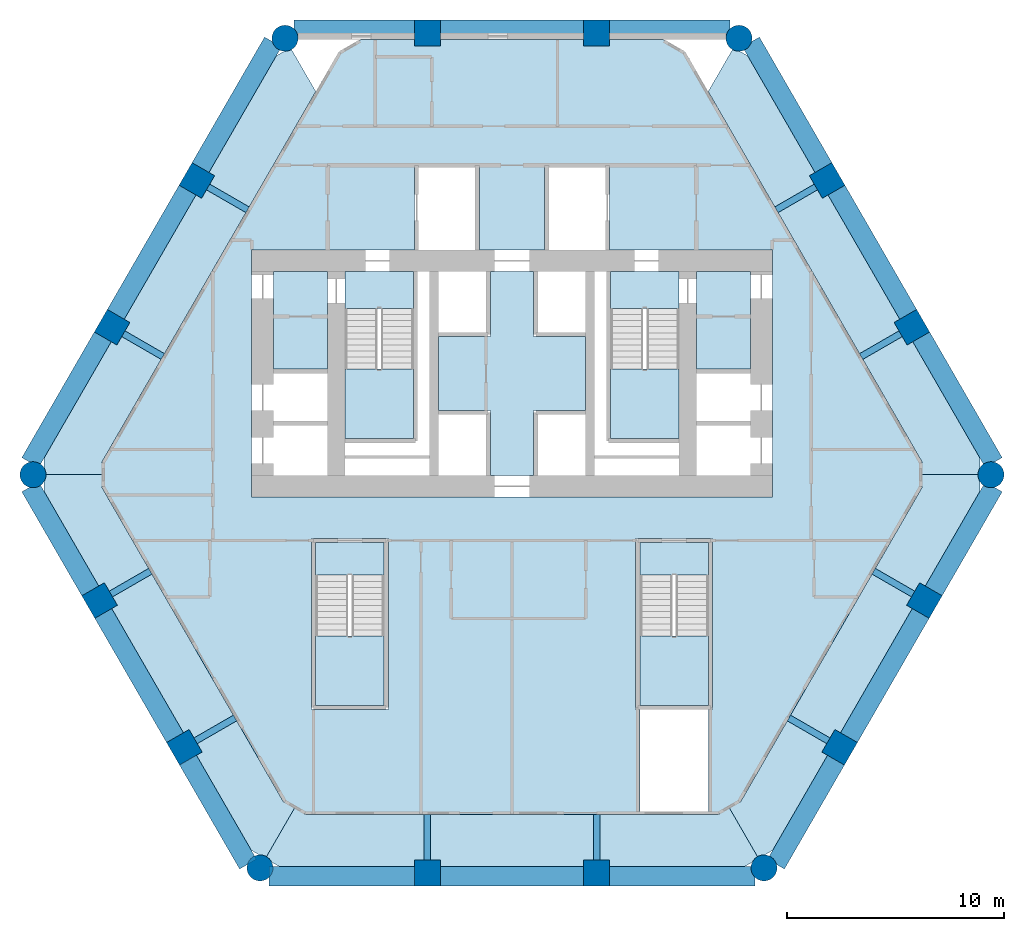
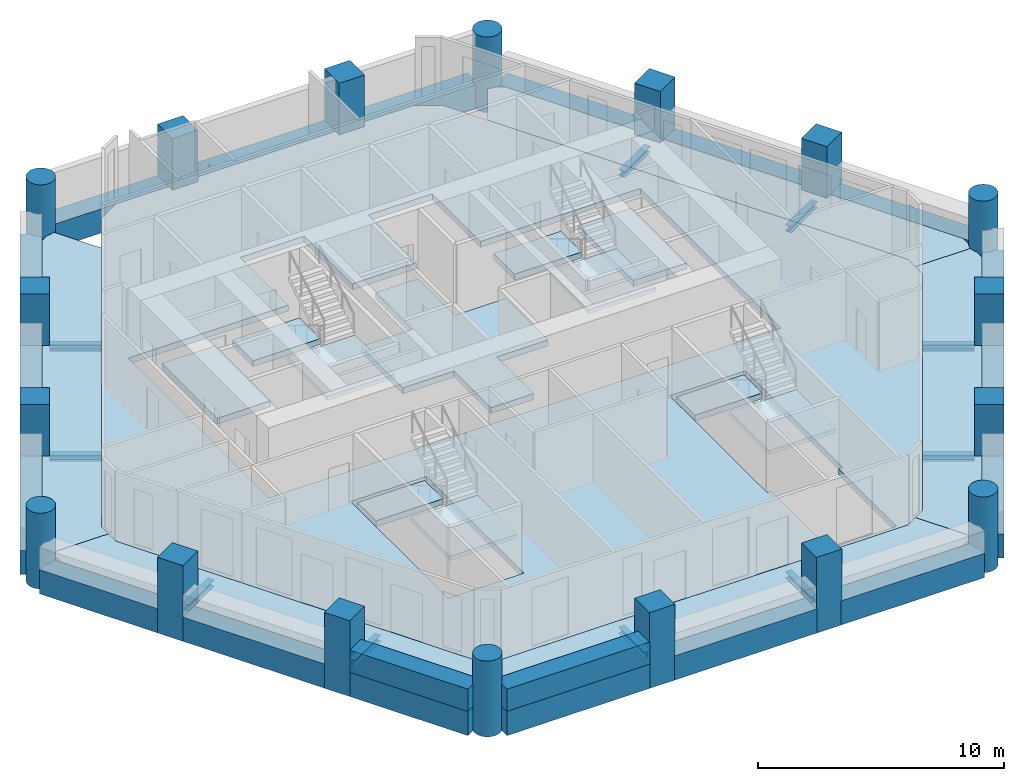
# One storey, part 1 of 7: 28 beams, 18 columns, 17 slabs, 2 walls, 4 elements without a shape of their own.
"""IFC4 building model written with IfcOpenShell, lengths in metres."""

from ifc_helpers import new_model, si_unit, direction, frame, frame_2d, origin, origin_2d, place, context, subcontext, project, spatial, polyline, rectangle, circle, i_section, outline, extrude, material, layer, layer_set, material_profile, profile_set, type_object, element, aggregate, save


model = new_model("IFC4")

# Units and contexts
model_context = context("Model", 3, precision=1e-05, world=origin(), true_north=direction((0.0, 1.0)))
body_context = subcontext(model_context, "Body", "Model", "MODEL_VIEW")
ifc_project = project(units=[si_unit("LENGTHUNIT", "METRE"), si_unit("AREAUNIT", "SQUARE_METRE"), si_unit("VOLUMEUNIT", "CUBIC_METRE"), si_unit("PLANEANGLEUNIT", "RADIAN"), si_unit("MASSUNIT", "GRAM", prefix="KILO")], contexts=[model_context])

# Site, building, storey
site_placement = place(None, origin())
site = spatial("IfcSite", under=ifc_project, at=site_placement, CompositionType="ELEMENT")
building_placement = place(site_placement, origin())
building = spatial("IfcBuilding", under=site, at=building_placement, Name="Ostrander Bayou Hotel Tower", CompositionType="ELEMENT")
storey_placement = place(building_placement, frame((0.0, 0.0, 123.5)))
storey = spatial("IfcBuildingStorey", under=building, at=storey_placement, Name="L30", CompositionType="ELEMENT", Elevation=123.5)

# Columns
ifc_material_1 = material(Name="Concrete f'c 70 MPa", Category="concrete")
ifc_material_profile_1 = material_profile(ifc_material_1, circle(Radius=0.60009765625, at=origin_2d()))
ifc_profile_set_1 = profile_set([ifc_material_profile_1], Name="Concrete f'c 70 MPa")
column_type_1 = type_object("IfcColumnType", Name="C3 round column 1200 mm f'c 70 MPa", PredefinedType="COLUMN", material=ifc_profile_set_1)
for number, where, z_axis, x_axis, name in (
    (1, (-10.466064453125, 19.458740234375, -1.199951171875), (0.0, 0.0, 1.0), (1.0, 0.0, 0.0), "C3 L30 K0"),
    (2, (-22.0849609375, -0.66552734375, -1.199951171875), (0.0, 0.0, 1.0), (1.0, 0.0, 0.0), "C3 L30 K1"),
    (3, (-11.618896484375, -18.793212890625, -1.199951171875), (0.0, 0.0, 1.0), (1.0, 0.0, 0.0), "C3 L30 K2"),
    (4, (11.618896484375, -18.793212890625, -1.199951171875), (0.0, 0.0, 1.0), (1.0, 0.0, 0.0), "C3 L30 K3"),
    (5, (22.0849609375, -0.66552734375, -1.199951171875), (0.0, 0.0, 1.0), (1.0, 0.0, 0.0), "C3 L30 K4"),
    (6, (10.466064453125, 19.458740234375, -1.199951171875), (0.0, 0.0, 1.0), (1.0, 0.0, 0.0), "C3 L30 K5"),
):
    element("IfcColumn", number, at=place(storey_placement, frame(where, z_axis=z_axis, x_axis=x_axis)), inside=storey, type_object=column_type_1, Name=name, PredefinedType="COLUMN", context=body_context, shape_type="SweptSolid", body=[
        extrude(circle(Radius=0.60009765625, at=origin_2d()), origin(), (0.0, 0.0, 1.0), 3.75),
    ])
ifc_material_2 = material(Name="Concrete f'c 70 MPa", Category="concrete")
ifc_material_profile_2 = material_profile(ifc_material_2, rectangle(XDim=1.199951171875, YDim=1.199951171875, at=origin_2d()))
ifc_profile_set_2 = profile_set([ifc_material_profile_2], Name="Concrete f'c 70 MPa")
column_type_2 = type_object("IfcColumnType", Name="C4 square column 1200 x 1200 mm f'c 70 MPa", PredefinedType="COLUMN", material=ifc_profile_set_2)
for number, where, z_axis, x_axis, name in (
    (7, (3.90673828125, 19.699951171875, -1.199951171875), (0.0, 0.0, 1.0), (1.0, 0.0, 0.0), "C4 L30 N1"),
    (8, (-3.90673828125, 19.699951171875, -1.199951171875), (0.0, 0.0, 1.0), (1.0, 0.0, 0.0), "C4 L30 N2"),
    (9, (-14.531005859375, 12.900634765625, -1.199951171875), (0.0, 0.0, 1.0), (0.5, 0.866025403784, 0.0), "C4 L30 NW1"),
    (10, (-18.437744140625, 6.1337890625, -1.199951171875), (0.0, 0.0, 1.0), (0.5, 0.866025403784, 0.0), "C4 L30 NW2"),
    (11, (-19.01416015625, -6.466796875, -1.199951171875), (0.0, 0.0, 1.0), (-0.5, 0.866025403784, 0.0), "C4 L30 SW1"),
    (12, (-15.107421875, -13.2333984375, -1.199951171875), (0.0, 0.0, 1.0), (-0.5, 0.866025403784, 0.0), "C4 L30 SW2"),
    (13, (-3.90673828125, -19.034423828125, -1.199951171875), (0.0, 0.0, 1.0), (-1.0, 0.0, 0.0), "C4 L30 S1"),
    (14, (3.90673828125, -19.034423828125, -1.199951171875), (0.0, 0.0, 1.0), (-1.0, 0.0, 0.0), "C4 L30 S2"),
    (15, (15.107421875, -13.2333984375, -1.199951171875), (0.0, 0.0, 1.0), (-0.5, -0.866025403784, 0.0), "C4 L30 SE1"),
    (16, (19.01416015625, -6.466796875, -1.199951171875), (0.0, 0.0, 1.0), (-0.5, -0.866025403784, 0.0), "C4 L30 SE2"),
    (17, (18.437744140625, 6.1337890625, -1.199951171875), (0.0, 0.0, 1.0), (0.5, -0.866025403784, 0.0), "C4 L30 NE1"),
    (18, (14.531005859375, 12.900634765625, -1.199951171875), (0.0, 0.0, 1.0), (0.5, -0.866025403784, 0.0), "C4 L30 NE2"),
):
    element("IfcColumn", number, at=place(storey_placement, frame(where, z_axis=z_axis, x_axis=x_axis)), inside=storey, type_object=column_type_2, Name=name, PredefinedType="COLUMN", context=body_context, shape_type="SweptSolid", body=[
        extrude(rectangle(XDim=1.199951171875, YDim=1.199951171875, at=origin_2d()), origin(), (0.0, 0.0, 1.0), 3.75),
    ])

# Beams
ifc_material_3 = material(Name="Steel ASTM A992", Category="steel")
ifc_material_profile_3 = material_profile(ifc_material_3, i_section(OverallWidth=0.3046875, OverallDepth=0.307861328125, WebThickness=0.010009765625, FlangeThickness=0.015380859375, at=origin_2d()))
ifc_profile_set_3 = profile_set([ifc_material_profile_3], Name="Steel ASTM A992")
beam_type_1 = type_object("IfcBeamType", Name="LB1 loggia bracket W12x65", PredefinedType="BEAM", material=ifc_profile_set_3)
for number, where, z_axis, x_axis, name in (
    (19, (-14.011474609375, 12.6005859375, -0.453857421875), (0.866038466041, -0.499977374825, 0.0), (0.499977374825, 0.866038466041, 0.0), "LB1 L30 NW1"),
    (20, (-17.918212890625, 5.833984375, -0.453857421875), (0.866038466041, -0.499977374825, 0.0), (0.499977374825, 0.866038466041, 0.0), "LB1 L30 NW2"),
    (21, (-18.494384765625, -6.166748046875, -0.453857421875), (0.866009402589, 0.500027713859, 0.0), (-0.500027713859, 0.866009402589, 0.0), "LB1 L30 SW1"),
    (22, (-14.587646484375, -12.933349609375, -0.453857421875), (0.866009402589, 0.500027713859, 0.0), (-0.500027713859, 0.866009402589, 0.0), "LB1 L30 SW2"),
    (23, (-3.90673828125, -18.4345703125, -0.453857421875), (0.0, 1.0, 0.0), (-1.0, 0.0, 0.0), "LB1 L30 S1"),
    (24, (3.90673828125, -18.4345703125, -0.453857421875), (0.0, 1.0, 0.0), (-1.0, 0.0, 0.0), "LB1 L30 S2"),
    (25, (14.587646484375, -12.933349609375, -0.453857421875), (-0.866009402589, 0.500027713859, 0.0), (-0.500027713859, -0.866009402589, 0.0), "LB1 L30 SE1"),
    (26, (18.494384765625, -6.166748046875, -0.453857421875), (-0.866009402589, 0.500027713859, 0.0), (-0.500027713859, -0.866009402589, 0.0), "LB1 L30 SE2"),
    (27, (17.918212890625, 5.833984375, -0.453857421875), (-0.866038466041, -0.499977374825, 0.0), (0.499977374825, -0.866038466041, 0.0), "LB1 L30 NE1"),
    (28, (14.011474609375, 12.6005859375, -0.453857421875), (-0.866038466041, -0.499977374825, 0.0), (0.499977374825, -0.866038466041, 0.0), "LB1 L30 NE2"),
):
    element("IfcBeam", number, at=place(storey_placement, frame(where, z_axis=z_axis, x_axis=x_axis)), inside=storey, type_object=beam_type_1, Name=name, PredefinedType="BEAM", context=body_context, shape_type="SweptSolid", body=[
        extrude(i_section(OverallWidth=0.3046875, OverallDepth=0.307861328125, WebThickness=0.010009765625, FlangeThickness=0.015380859375, at=origin_2d()), origin(), (0.0, 0.0, 1.0), 2.10009765625),
    ])
ifc_material_4 = material(Name="Concrete f'c 70 MPa", Category="concrete")
ifc_material_profile_4 = material_profile(ifc_material_4, rectangle(XDim=0.89990234375, YDim=1.199951171875, at=origin_2d()))
ifc_profile_set_4 = profile_set([ifc_material_profile_4], Name="Concrete f'c 70 MPa")
beam_type_2 = type_object("IfcBeamType", Name="SP2 spandrel beam 900 x 1200 mm f'c 70 MPa", PredefinedType="SPANDREL", material=ifc_profile_set_4)
beam_1_placement = place(storey_placement, frame((10.041015625, 19.85009765625, -0.60009765625), z_axis=(-1.0, 0.0, 0.0), x_axis=(0.0, -1.0, 0.0)))
element("IfcBeam", 29, at=beam_1_placement, inside=storey, type_object=beam_type_2, Name="SP2 L30 N-1", PredefinedType="SPANDREL", context=body_context, shape_type="SweptSolid", body=[
    extrude(rectangle(XDim=0.89990234375, YDim=1.199951171875, at=origin_2d()), origin(), (0.0, 0.0, 1.0), 5.564208984375),
])
beam_2_placement = place(storey_placement, frame((3.336669921875, 19.85009765625, -0.60009765625), z_axis=(-1.0, 0.0, 0.0), x_axis=(0.0, -1.0, 0.0)))
element("IfcBeam", 30, at=beam_2_placement, inside=storey, type_object=beam_type_2, Name="SP2 L30 N-2", PredefinedType="SPANDREL", context=body_context, shape_type="SweptSolid", body=[
    extrude(rectangle(XDim=0.89990234375, YDim=1.199951171875, at=origin_2d()), origin(), (0.0, 0.0, 1.0), 6.67333984375),
])
beam_3_placement = place(storey_placement, frame((-4.476806640625, 19.85009765625, -0.60009765625), z_axis=(-1.0, 0.0, 0.0), x_axis=(0.0, -1.0, 0.0)))
element("IfcBeam", 31, at=beam_3_placement, inside=storey, type_object=beam_type_2, Name="SP2 L30 N-3", PredefinedType="SPANDREL", context=body_context, shape_type="SweptSolid", body=[
    extrude(rectangle(XDim=0.89990234375, YDim=1.199951171875, at=origin_2d()), origin(), (0.0, 0.0, 1.0), 5.564208984375),
])
beam_4_placement = place(storey_placement, frame((-11.017333984375, 19.286376953125, -0.60009765625), z_axis=(-0.500012951941, -0.866017925849, 0.0), x_axis=(0.866017925849, -0.500012951941, 0.0)))
element("IfcBeam", 32, at=beam_4_placement, inside=storey, type_object=beam_type_2, Name="SP2 L30 NW-1", PredefinedType="SPANDREL", context=body_context, shape_type="SweptSolid", body=[
    extrude(rectangle(XDim=0.89990234375, YDim=1.199951171875, at=origin_2d()), origin(), (0.0, 0.0, 1.0), 6.717041015625),
])
beam_5_placement = place(storey_placement, frame((-14.94580078125, 12.48193359375, -0.60009765625), z_axis=(-0.50001062018, -0.866019272134, 0.0), x_axis=(0.866019272134, -0.50001062018, 0.0)))
element("IfcBeam", 33, at=beam_5_placement, inside=storey, type_object=beam_type_2, Name="SP2 L30 NW-2", PredefinedType="SPANDREL", context=body_context, shape_type="SweptSolid", body=[
    extrude(rectangle(XDim=0.89990234375, YDim=1.199951171875, at=origin_2d()), origin(), (0.0, 0.0, 1.0), 6.673583984375),
])
beam_6_placement = place(storey_placement, frame((-18.8525390625, 5.71533203125, -0.60009765625), z_axis=(-0.500012951941, -0.866017925849, 0.0), x_axis=(0.866017925849, -0.500012951941, 0.0)))
element("IfcBeam", 34, at=beam_6_placement, inside=storey, type_object=beam_type_2, Name="SP2 L30 NW-3", PredefinedType="SPANDREL", context=body_context, shape_type="SweptSolid", body=[
    extrude(rectangle(XDim=0.89990234375, YDim=1.199951171875, at=origin_2d()), origin(), (0.0, 0.0, 1.0), 6.717041015625),
])
beam_7_placement = place(storey_placement, frame((-22.211181640625, -1.22900390625, -0.60009765625), z_axis=(0.49998957009, -0.866031425412, 0.0), x_axis=(0.866031425412, 0.49998957009, 0.0)))
element("IfcBeam", 35, at=beam_7_placement, inside=storey, type_object=beam_type_2, Name="SP2 L30 SW-1", PredefinedType="SPANDREL", context=body_context, shape_type="SweptSolid", body=[
    extrude(rectangle(XDim=0.89990234375, YDim=1.199951171875, at=origin_2d()), origin(), (0.0, 0.0, 1.0), 5.564453125),
])
beam_8_placement = place(storey_placement, frame((-18.85888671875, -7.035400390625, -0.60009765625), z_axis=(0.499999023957, -0.866025967302, 0.0), x_axis=(0.866025967302, 0.499999023957, 0.0)))
element("IfcBeam", 36, at=beam_8_placement, inside=storey, type_object=beam_type_2, Name="SP2 L30 SW-2", PredefinedType="SPANDREL", context=body_context, shape_type="SweptSolid", body=[
    extrude(rectangle(XDim=0.89990234375, YDim=1.199951171875, at=origin_2d()), origin(), (0.0, 0.0, 1.0), 6.67333984375),
])
beam_9_placement = place(storey_placement, frame((-14.9521484375, -13.802001953125, -0.60009765625), z_axis=(0.500008568482, -0.866020456713, 0.0), x_axis=(0.866020456713, 0.500008568482, 0.0)))
element("IfcBeam", 37, at=beam_9_placement, inside=storey, type_object=beam_type_2, Name="SP2 L30 SW-3", PredefinedType="SPANDREL", context=body_context, shape_type="SweptSolid", body=[
    extrude(rectangle(XDim=0.89990234375, YDim=1.199951171875, at=origin_2d()), origin(), (0.0, 0.0, 1.0), 5.564453125),
])
beam_10_placement = place(storey_placement, frame((-11.19384765625, -19.1845703125, -0.60009765625), z_axis=(1.0, 0.0, 0.0), x_axis=(0.0, 1.0, 0.0)))
element("IfcBeam", 38, at=beam_10_placement, inside=storey, type_object=beam_type_2, Name="SP2 L30 S-1", PredefinedType="SPANDREL", context=body_context, shape_type="SweptSolid", body=[
    extrude(rectangle(XDim=0.89990234375, YDim=1.199951171875, at=origin_2d()), origin(), (0.0, 0.0, 1.0), 6.717041015625),
])
beam_11_placement = place(storey_placement, frame((-3.336669921875, -19.1845703125, -0.60009765625), z_axis=(1.0, 0.0, 0.0), x_axis=(0.0, 1.0, 0.0)))
element("IfcBeam", 39, at=beam_11_placement, inside=storey, type_object=beam_type_2, Name="SP2 L30 S-2", PredefinedType="SPANDREL", context=body_context, shape_type="SweptSolid", body=[
    extrude(rectangle(XDim=0.89990234375, YDim=1.199951171875, at=origin_2d()), origin(), (0.0, 0.0, 1.0), 6.67333984375),
])
beam_12_placement = place(storey_placement, frame((4.476806640625, -19.1845703125, -0.60009765625), z_axis=(1.0, 0.0, 0.0), x_axis=(0.0, 1.0, 0.0)))
element("IfcBeam", 40, at=beam_12_placement, inside=storey, type_object=beam_type_2, Name="SP2 L30 S-3", PredefinedType="SPANDREL", context=body_context, shape_type="SweptSolid", body=[
    extrude(rectangle(XDim=0.89990234375, YDim=1.199951171875, at=origin_2d()), origin(), (0.0, 0.0, 1.0), 6.717041015625),
])
beam_13_placement = place(storey_placement, frame((12.169921875, -18.620849609375, -0.60009765625), z_axis=(0.500008568482, 0.866020456713, 0.0), x_axis=(-0.866020456713, 0.500008568482, 0.0)))
element("IfcBeam", 41, at=beam_13_placement, inside=storey, type_object=beam_type_2, Name="SP2 L30 SE-1", PredefinedType="SPANDREL", context=body_context, shape_type="SweptSolid", body=[
    extrude(rectangle(XDim=0.89990234375, YDim=1.199951171875, at=origin_2d()), origin(), (0.0, 0.0, 1.0), 5.564453125),
])
beam_14_placement = place(storey_placement, frame((15.522216796875, -12.814697265625, -0.60009765625), z_axis=(0.499999023957, 0.866025967302, 0.0), x_axis=(-0.866025967302, 0.499999023957, 0.0)))
element("IfcBeam", 42, at=beam_14_placement, inside=storey, type_object=beam_type_2, Name="SP2 L30 SE-2", PredefinedType="SPANDREL", context=body_context, shape_type="SweptSolid", body=[
    extrude(rectangle(XDim=0.89990234375, YDim=1.199951171875, at=origin_2d()), origin(), (0.0, 0.0, 1.0), 6.67333984375),
])
beam_15_placement = place(storey_placement, frame((19.428955078125, -6.048095703125, -0.60009765625), z_axis=(0.49998957009, 0.866031425412, 0.0), x_axis=(-0.866031425412, 0.49998957009, 0.0)))
element("IfcBeam", 43, at=beam_15_placement, inside=storey, type_object=beam_type_2, Name="SP2 L30 SE-3", PredefinedType="SPANDREL", context=body_context, shape_type="SweptSolid", body=[
    extrude(rectangle(XDim=0.89990234375, YDim=1.199951171875, at=origin_2d()), origin(), (0.0, 0.0, 1.0), 5.564453125),
])
beam_16_placement = place(storey_placement, frame((22.211181640625, -0.101806640625, -0.60009765625), z_axis=(-0.500012951941, 0.866017925849, 0.0), x_axis=(-0.866017925849, -0.500012951941, 0.0)))
element("IfcBeam", 44, at=beam_16_placement, inside=storey, type_object=beam_type_2, Name="SP2 L30 NE-1", PredefinedType="SPANDREL", context=body_context, shape_type="SweptSolid", body=[
    extrude(rectangle(XDim=0.89990234375, YDim=1.199951171875, at=origin_2d()), origin(), (0.0, 0.0, 1.0), 6.717041015625),
])
beam_17_placement = place(storey_placement, frame((18.28271484375, 6.702392578125, -0.60009765625), z_axis=(-0.50001062018, 0.866019272134, 0.0), x_axis=(-0.866019272134, -0.50001062018, 0.0)))
element("IfcBeam", 45, at=beam_17_placement, inside=storey, type_object=beam_type_2, Name="SP2 L30 NE-2", PredefinedType="SPANDREL", context=body_context, shape_type="SweptSolid", body=[
    extrude(rectangle(XDim=0.89990234375, YDim=1.199951171875, at=origin_2d()), origin(), (0.0, 0.0, 1.0), 6.673583984375),
])
beam_18_placement = place(storey_placement, frame((14.3759765625, 13.46923828125, -0.60009765625), z_axis=(-0.500012951941, 0.866017925849, 0.0), x_axis=(-0.866017925849, -0.500012951941, 0.0)))
element("IfcBeam", 46, at=beam_18_placement, inside=storey, type_object=beam_type_2, Name="SP2 L30 NE-3", PredefinedType="SPANDREL", context=body_context, shape_type="SweptSolid", body=[
    extrude(rectangle(XDim=0.89990234375, YDim=1.199951171875, at=origin_2d()), origin(), (0.0, 0.0, 1.0), 6.717041015625),
])

# Slabs
ifc_material_5 = material(Name="Concrete f'c 40 MPa", Category="concrete")
ifc_layer_1 = layer(ifc_material_5, 0.300048828125)
ifc_layer_set_1 = layer_set([ifc_layer_1], Name="SL1 floor slab 300 mm f'c 40 MPa")
slab_type_1 = type_object("IfcSlabType", Name="SL1 floor slab 300 mm f'c 40 MPa", PredefinedType="FLOOR", material=ifc_layer_set_1)
slab_1_placement = place(storey_placement, frame((0.0, 0.0, -0.300048828125)))
element("IfcSlab", 47, at=slab_1_placement, inside=storey, type_object=slab_type_1, Name="SL1 L30 1", PredefinedType="FLOOR", context=body_context, shape_type="SweptSolid", body=[
    extrude(outline(polyline([(-3.336669921875, 19.39990234375), (3.336669921875, 19.39990234375), (4.476806640625, 19.39990234375), (6.968017578125, 19.39990234375), (8.00732421875, 18.800048828125), (18.8994140625, -0.0654296875), (18.8994140625, -1.265380859375), (10.545654296875, -15.734619140625), (9.50634765625, -16.33447265625), (-9.50634765625, -16.33447265625), (-10.545654296875, -15.734619140625), (-18.8994140625, -1.265380859375), (-18.8994140625, -0.0654296875), (-8.00732421875, 18.800048828125), (-6.968017578125, 19.39990234375), (-4.476806640625, 19.39990234375), (-3.336669921875, 19.39990234375)]), holes=[polyline([(-12.0, -1.699951171875), (12.0, -1.699951171875), (12.0, 9.699951171875), (4.5, 9.699951171875), (4.5, 13.60009765625), (1.5, 13.60009765625), (1.5, 9.699951171875), (-1.5, 9.699951171875), (-1.5, 13.60009765625), (-4.5, 13.60009765625), (-4.5, 9.699951171875), (-12.0, 9.699951171875), (-12.0, -1.699951171875)]), polyline([(9.050048828125, -11.5), (9.25, -11.5), (9.25, -3.60009765625), (5.699951171875, -3.60009765625), (5.699951171875, -11.5), (5.89990234375, -11.5), (5.89990234375, -16.1845703125), (9.050048828125, -16.1845703125), (9.050048828125, -11.5)]), polyline([(-5.699951171875, -3.60009765625), (-9.25, -3.60009765625), (-9.25, -11.5), (-5.699951171875, -11.5), (-5.699951171875, -3.60009765625)])]), origin(), (0.0, 0.0, 1.0), 0.300048828125),
])
slab_2_placement = place(storey_placement, frame((0.0, 0.0, -0.300048828125)))
element("IfcSlab", 48, at=slab_2_placement, inside=storey, type_object=slab_type_1, Name="cslab:L30:001", PredefinedType="FLOOR", context=body_context, shape_type="SweptSolid", body=[
    extrude(outline(polyline([(-3.39990234375, 5.699951171875), (-1.0, 5.699951171875), (-1.0, 8.699951171875), (1.0, 8.699951171875), (1.0, 5.699951171875), (3.39990234375, 5.699951171875), (3.39990234375, 2.300048828125), (1.0, 2.300048828125), (1.0, -0.699951171875), (-1.0, -0.699951171875), (-1.0, 2.300048828125), (-3.39990234375, 2.300048828125), (-3.39990234375, 5.699951171875)])), origin(), (0.0, 0.0, 1.0), 0.300048828125),
])
slab_3_placement = place(storey_placement, frame((0.0, 0.0, -0.300048828125)))
element("IfcSlab", 49, at=slab_3_placement, inside=storey, type_object=slab_type_1, Name="cslab:L30:002", PredefinedType="FLOOR", context=body_context, shape_type="SweptSolid", body=[
    extrude(outline(polyline([(-8.5, 4.199951171875), (-8.5, 8.699951171875), (-11.0, 8.699951171875), (-11.0, 4.199951171875), (-8.5, 4.199951171875)])), origin(), (0.0, 0.0, 1.0), 0.300048828125),
])
slab_4_placement = place(storey_placement, frame((0.0, 0.0, -0.300048828125)))
element("IfcSlab", 50, at=slab_4_placement, inside=storey, type_object=slab_type_1, Name="cslab:L30:003", PredefinedType="FLOOR", context=body_context, shape_type="SweptSolid", body=[
    extrude(outline(polyline([(11.0, 4.199951171875), (11.0, 8.699951171875), (8.5, 8.699951171875), (8.5, 4.199951171875), (11.0, 4.199951171875)])), origin(), (0.0, 0.0, 1.0), 0.300048828125),
])
slab_5_placement = place(storey_placement, frame((0.0, 0.0, -0.300048828125)))
element("IfcSlab", 51, at=slab_5_placement, inside=storey, type_object=slab_type_1, Name="cslab:L30:004", PredefinedType="FLOOR", context=body_context, shape_type="SweptSolid", body=[
    extrude(outline(polyline([(-4.550048828125, 7.0), (-4.550048828125, 8.699951171875), (-7.699951171875, 8.699951171875), (-7.699951171875, 7.0), (-4.550048828125, 7.0)])), origin(), (0.0, 0.0, 1.0), 0.300048828125),
])
slab_6_placement = place(storey_placement, frame((0.0, 0.0, -0.300048828125)))
element("IfcSlab", 52, at=slab_6_placement, inside=storey, type_object=slab_type_1, Name="cslab:L30:005", PredefinedType="FLOOR", context=body_context, shape_type="SweptSolid", body=[
    extrude(outline(polyline([(7.699951171875, 7.0), (7.699951171875, 8.699951171875), (4.550048828125, 8.699951171875), (4.550048828125, 7.0), (7.699951171875, 7.0)])), origin(), (0.0, 0.0, 1.0), 0.300048828125),
])
slab_7_placement = place(storey_placement, frame((0.0, 0.0, -0.300048828125)))
element("IfcSlab", 53, at=slab_7_placement, inside=storey, type_object=slab_type_1, Name="cslab:L30:006", PredefinedType="FLOOR", context=body_context, shape_type="SweptSolid", body=[
    extrude(outline(polyline([(9.050048828125, -5.300048828125), (9.050048828125, -3.800048828125), (5.89990234375, -3.800048828125), (5.89990234375, -5.300048828125), (9.050048828125, -5.300048828125)])), origin(), (0.0, 0.0, 1.0), 0.300048828125),
])
slab_8_placement = place(storey_placement, frame((0.0, 0.0, -0.300048828125)))
element("IfcSlab", 54, at=slab_8_placement, inside=storey, type_object=slab_type_1, Name="cslab:L30:007", PredefinedType="FLOOR", context=body_context, shape_type="SweptSolid", body=[
    extrude(outline(polyline([(-5.89990234375, -5.300048828125), (-5.89990234375, -3.800048828125), (-9.050048828125, -3.800048828125), (-9.050048828125, -5.300048828125), (-5.89990234375, -5.300048828125)])), origin(), (0.0, 0.0, 1.0), 0.300048828125),
])
ifc_material_6 = material(Name="Concrete f'c 40 MPa", Category="concrete")
ifc_layer_2 = layer(ifc_material_6, 0.300048828125)
ifc_layer_set_2 = layer_set([ifc_layer_2], Name="SL4 loggia slab 300 mm f'c 40 MPa")
slab_type_2 = type_object("IfcSlabType", Name="SL4 loggia slab 300 mm f'c 40 MPa", PredefinedType="FLOOR", material=ifc_layer_set_2)
slab_9_placement = place(storey_placement, frame((0.0, 0.0, -0.300048828125)))
element("IfcSlab", 55, at=slab_9_placement, inside=storey, type_object=slab_type_2, Name="SL4 LOGGIA L30 NW 1", PredefinedType="FLOOR", context=body_context, shape_type="SweptSolid", body=[
    extrude(outline(polyline([(-21.48486328125, -0.66552734375), (-21.496337890625, -0.548583984375), (-21.530517578125, -0.435791015625), (-21.583984375, -0.336181640625), (-21.583984375, 0.08447265625), (-18.462890625, 5.490234375), (-17.892822265625, 6.4775390625), (-14.55615234375, 12.2568359375), (-13.986083984375, 13.244140625), (-11.436279296875, 17.66064453125), (-11.110595703125, 18.22509765625), (-10.864990234375, 18.64990234375), (-10.498046875, 18.862060546875), (-10.466064453125, 18.85888671875), (-10.34912109375, 18.870361328125), (-10.236572265625, 18.904541015625), (-10.16748046875, 18.94140625), (-9.04638671875, 17.0), (-18.8994140625, -0.0654296875), (-18.8994140625, -0.66552734375), (-21.48486328125, -0.66552734375)])), origin(), (0.0, 0.0, 1.0), 0.300048828125),
])
slab_10_placement = place(storey_placement, frame((0.0, 0.0, -0.300048828125)))
element("IfcSlab", 56, at=slab_10_placement, inside=storey, type_object=slab_type_2, Name="SL4 LOGGIA L30 SW 1", PredefinedType="FLOOR", context=body_context, shape_type="SweptSolid", body=[
    extrude(outline(polyline([(-10.02587890625, -16.034423828125), (-11.320068359375, -18.27587890625), (-11.38916015625, -18.239013671875), (-11.501708984375, -18.204833984375), (-11.618896484375, -18.193359375), (-11.650634765625, -18.196533203125), (-12.017822265625, -17.984619140625), (-14.5625, -13.576904296875), (-15.132568359375, -12.589599609375), (-18.46923828125, -6.810302734375), (-19.039306640625, -5.822998046875), (-21.583984375, -1.41552734375), (-21.583984375, -0.9951171875), (-21.530517578125, -0.89501953125), (-21.496337890625, -0.78271484375), (-21.48486328125, -0.66552734375), (-18.8994140625, -0.66552734375), (-18.8994140625, -1.265380859375), (-10.545654296875, -15.734619140625), (-10.02587890625, -16.034423828125)])), origin(), (0.0, 0.0, 1.0), 0.300048828125),
])
slab_11_placement = place(storey_placement, frame((0.0, 0.0, -0.300048828125)))
element("IfcSlab", 57, at=slab_11_placement, inside=storey, type_object=slab_type_2, Name="SL4 LOGGIA L30 S 1", PredefinedType="FLOOR", context=body_context, shape_type="SweptSolid", body=[
    extrude(outline(polyline([(10.02587890625, -16.034423828125), (11.320068359375, -18.27587890625), (11.285400390625, -18.29443359375), (11.194580078125, -18.369140625), (11.119873046875, -18.4599609375), (11.086669921875, -18.522216796875), (10.71875, -18.734619140625), (-10.71875, -18.734619140625), (-11.086669921875, -18.522216796875), (-11.119873046875, -18.4599609375), (-11.194580078125, -18.369140625), (-11.285400390625, -18.29443359375), (-11.320068359375, -18.27587890625), (-10.02587890625, -16.034423828125), (-9.50634765625, -16.33447265625), (9.50634765625, -16.33447265625), (10.02587890625, -16.034423828125)])), origin(), (0.0, 0.0, 1.0), 0.300048828125),
])
slab_12_placement = place(storey_placement, frame((0.0, 0.0, -0.300048828125)))
element("IfcSlab", 58, at=slab_12_placement, inside=storey, type_object=slab_type_2, Name="SL4 LOGGIA L30 SE 1", PredefinedType="FLOOR", context=body_context, shape_type="SweptSolid", body=[
    extrude(outline(polyline([(18.8994140625, -0.66552734375), (21.48486328125, -0.66552734375), (21.496337890625, -0.78271484375), (21.530517578125, -0.89501953125), (21.583984375, -0.9951171875), (21.583984375, -1.41552734375), (19.039306640625, -5.822998046875), (18.46923828125, -6.810302734375), (15.132568359375, -12.589599609375), (14.5625, -13.576904296875), (14.23779296875, -14.139404296875), (13.923583984375, -14.68359375), (13.19140625, -15.951904296875), (12.017822265625, -17.984619140625), (11.650634765625, -18.196533203125), (11.618896484375, -18.193359375), (11.501708984375, -18.204833984375), (11.38916015625, -18.239013671875), (11.320068359375, -18.27587890625), (10.02587890625, -16.034423828125), (10.545654296875, -15.734619140625), (18.8994140625, -1.265380859375), (18.8994140625, -0.66552734375)])), origin(), (0.0, 0.0, 1.0), 0.300048828125),
])
slab_13_placement = place(storey_placement, frame((0.0, 0.0, -0.300048828125)))
element("IfcSlab", 59, at=slab_13_placement, inside=storey, type_object=slab_type_2, Name="SL4 LOGGIA L30 NE 1", PredefinedType="FLOOR", context=body_context, shape_type="SweptSolid", body=[
    extrude(outline(polyline([(10.16748046875, 18.94140625), (10.236572265625, 18.904541015625), (10.34912109375, 18.870361328125), (10.466064453125, 18.85888671875), (10.498046875, 18.862060546875), (10.864990234375, 18.64990234375), (12.022216796875, 16.64599609375), (13.098388671875, 14.781494140625), (15.59619140625, 10.455322265625), (17.892822265625, 6.4775390625), (21.583984375, 0.08447265625), (21.583984375, -0.336181640625), (21.530517578125, -0.435791015625), (21.496337890625, -0.548583984375), (21.48486328125, -0.66552734375), (18.8994140625, -0.66552734375), (18.8994140625, -0.0654296875), (9.04638671875, 17.0), (10.16748046875, 18.94140625)])), origin(), (0.0, 0.0, 1.0), 0.300048828125),
])

# Stair, slab
ifc_material_7 = material(Name="Concrete f'c 45 MPa", Category="concrete")
stair_type = type_object("IfcStairType", Name="ST1 exit stair 1500 mm f'c 45 MPa", PredefinedType="HALF_TURN_STAIR", material=ifc_material_7)
stair_1_placement = place(storey_placement, origin())
stair_1 = element("IfcStair", 60, at=stair_1_placement, inside=storey, type_object=stair_type, Name="L30 exit stair A", PredefinedType="HALF_TURN_STAIR")
ifc_material_8 = material(Name="Concrete f'c 45 MPa", Category="concrete")
ifc_layer_3 = layer(ifc_material_8, 0.199951171875)
ifc_layer_set_3 = layer_set([ifc_layer_3], Name="SL8 stair landing 200 mm f'c 45 MPa")
slab_type_3 = type_object("IfcSlabType", Name="SL8 stair landing 200 mm f'c 45 MPa", PredefinedType="LANDING", material=ifc_layer_set_3)
slab_14_placement = place(storey_placement, frame((0.0, 0.0, 1.675048828125)))
slab_14 = element("IfcSlab", 61, at=slab_14_placement, type_object=slab_type_3, Name="STA landing 1", PredefinedType="LANDING", context=body_context, shape_type="SweptSolid", body=[
    extrude(outline(polyline([(-7.699951171875, 4.199951171875), (-7.699951171875, 1.0), (-4.550048828125, 1.0), (-4.550048828125, 4.199951171875), (-7.699951171875, 4.199951171875)])), origin(), (0.0, 0.0, 1.0), 0.199951171875),
])
aggregate(stair_1, [slab_14])

stair_2_placement = place(storey_placement, origin())
stair_2 = element("IfcStair", 62, at=stair_2_placement, inside=storey, type_object=stair_type, Name="L30 exit stair B", PredefinedType="HALF_TURN_STAIR")
slab_15_placement = place(storey_placement, frame((0.0, 0.0, 1.675048828125)))
slab_15 = element("IfcSlab", 63, at=slab_15_placement, type_object=slab_type_3, Name="STB landing 1", PredefinedType="LANDING", context=body_context, shape_type="SweptSolid", body=[
    extrude(outline(polyline([(4.550048828125, 4.199951171875), (4.550048828125, 1.0), (7.699951171875, 1.0), (7.699951171875, 4.199951171875), (4.550048828125, 4.199951171875)])), origin(), (0.0, 0.0, 1.0), 0.199951171875),
])
aggregate(stair_2, [slab_15])

stair_3_placement = place(storey_placement, origin())
stair_3 = element("IfcStair", 64, at=stair_3_placement, inside=storey, type_object=stair_type, Name="L30 exit stair C", PredefinedType="HALF_TURN_STAIR")
slab_16_placement = place(storey_placement, frame((0.0, 0.0, 1.675048828125)))
slab_16 = element("IfcSlab", 65, at=slab_16_placement, type_object=slab_type_3, Name="STC landing 1", PredefinedType="LANDING", context=body_context, shape_type="SweptSolid", body=[
    extrude(outline(polyline([(5.89990234375, -8.10009765625), (5.89990234375, -11.300048828125), (9.050048828125, -11.300048828125), (9.050048828125, -8.10009765625), (5.89990234375, -8.10009765625)])), origin(), (0.0, 0.0, 1.0), 0.199951171875),
])
aggregate(stair_3, [slab_16])

stair_4_placement = place(storey_placement, origin())
stair_4 = element("IfcStair", 66, at=stair_4_placement, inside=storey, type_object=stair_type, Name="L30 exit stair D", PredefinedType="HALF_TURN_STAIR")
slab_17_placement = place(storey_placement, frame((0.0, 0.0, 1.675048828125)))
slab_17 = element("IfcSlab", 67, at=slab_17_placement, type_object=slab_type_3, Name="STD landing 1", PredefinedType="LANDING", context=body_context, shape_type="SweptSolid", body=[
    extrude(outline(polyline([(-9.050048828125, -8.10009765625), (-9.050048828125, -11.300048828125), (-5.89990234375, -11.300048828125), (-5.89990234375, -8.10009765625), (-9.050048828125, -8.10009765625)])), origin(), (0.0, 0.0, 1.0), 0.199951171875),
])
aggregate(stair_4, [slab_17])

# Walls
ifc_material_9 = material(Name="Concrete f'c 40 MPa", Category="concrete")
ifc_layer_4 = layer(ifc_material_9, 0.89990234375)
ifc_layer_set_4 = layer_set([ifc_layer_4], Name="PA1 stone-faced parapet 900 mm")
wall_type_1 = type_object("IfcWallType", Name="PA1 stone-faced parapet 900 mm", PredefinedType="PARAPET", material=ifc_layer_set_4)
wall_1_placement = place(storey_placement, frame((-11.19384765625, -19.1845703125, 0.0), z_axis=(0.0, 0.0, 1.0), x_axis=(1.0, 0.0, 0.0)))
element("IfcWall", 68, at=wall_1_placement, inside=storey, type_object=wall_type_1, Name="PA1 L30 S-1", PredefinedType="PARAPET", context=body_context, shape_type="SweptSolid", body=[
    extrude(rectangle(XDim=6.717041015625, YDim=0.89990234375, at=frame_2d((3.3583984375, 0.0))), origin(), (0.0, 0.0, 1.0), 1.10009765625),
])
ifc_material_10 = material(Name="Limestone masonry", Category="masonry")
ifc_layer_5 = layer(ifc_material_10, 0.89990234375)
ifc_layer_set_5 = layer_set([ifc_layer_5], Name="PA2 limestone parapet 900 mm")
wall_type_2 = type_object("IfcWallType", Name="PA2 limestone parapet 900 mm", PredefinedType="PARAPET", material=ifc_layer_set_5)
wall_2_placement = place(storey_placement, frame((-14.9521484375, -13.802001953125, 0.0), z_axis=(0.0, 0.0, 1.0), x_axis=(0.500008568482, -0.866020456713, 0.0)))
element("IfcWall", 69, at=wall_2_placement, inside=storey, type_object=wall_type_2, Name="PA2 L30 SW-3", PredefinedType="PARAPET", context=body_context, shape_type="SweptSolid", body=[
    extrude(rectangle(XDim=5.564453125, YDim=0.89990234375, at=frame_2d((2.7822265625, 0.0))), origin(), (0.0, 0.0, 1.0), 1.10009765625),
])

save(model, "model.ifc")
